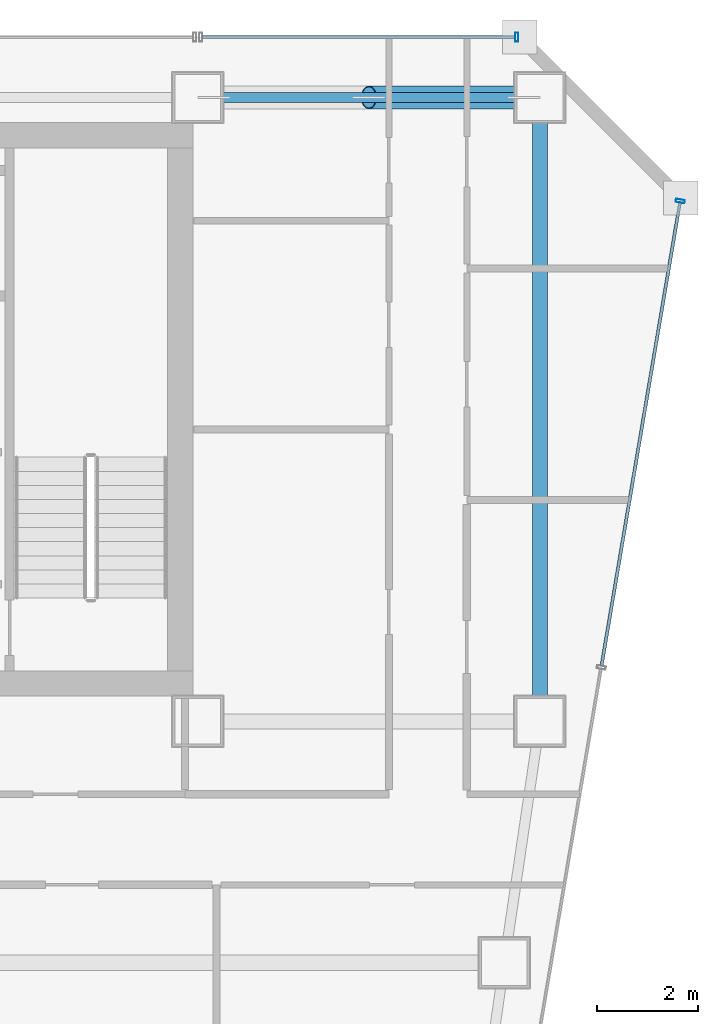
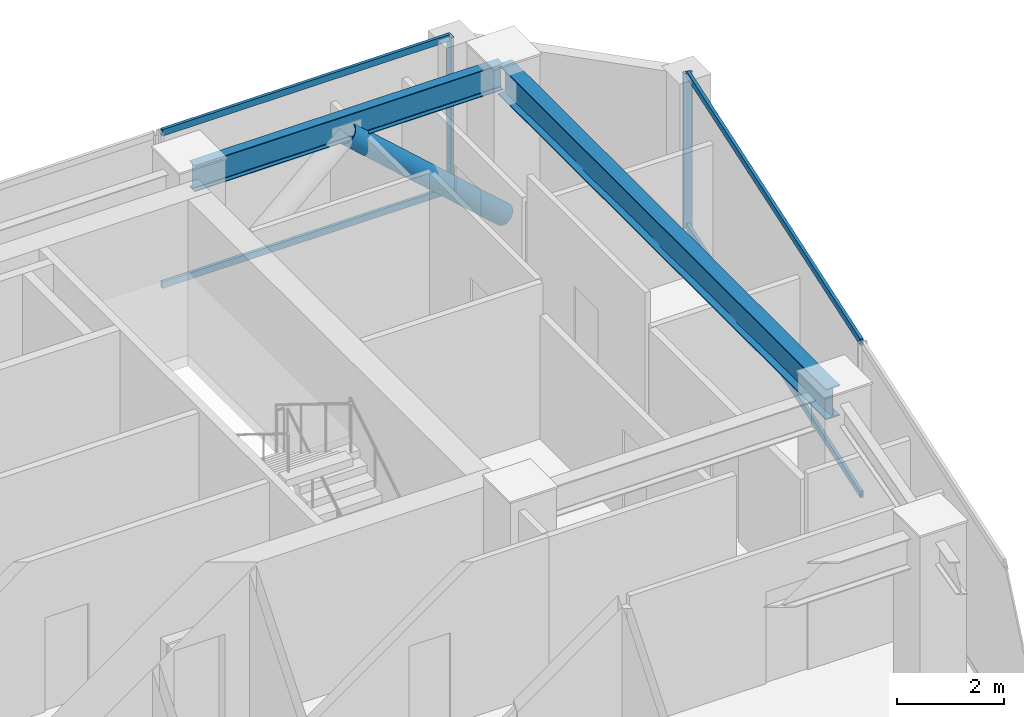
# One storey, part 26 of 35: 7 members, 2 beams, 2 elements without a shape of their own.
"""IFC4 building model written with IfcOpenShell, lengths in metres."""

import ifcopenshell
import ifcopenshell.guid

model = None  # the IFC model being written
_history = None  # IfcOwnerHistory: only IFC2X3 demands one
_inside = {}  # id of a spatial element -> (the spatial element, [elements in it])
_under = {}  # id of a project, library or spatial element -> (it, [spatial elements below it])
_declared = {}  # id of a project -> (the project, [libraries it declares])
_typed = {}  # id of a type object -> (the type object, [elements of that type])
_made_of = {}  # id of a material, layer set ... -> (it, [elements and type objects made of it])


def new_model(schema):
    """Start an empty IFC model of exactly this schema.

    Asked for "IFC4X3", IfcOpenShell would pick the latest addendum, in which some entities
    have other attributes; the version numbers below select the first issue.
    IFC2X3 requires an IfcOwnerHistory on every rooted entity: one is made here for all.
    """
    global model, _history
    if schema == "IFC4X3":
        model = ifcopenshell.file(schema_version=(4, 3, 0, 0))
    else:
        model = ifcopenshell.file(schema=schema)
    _inside.clear()
    _under.clear()
    _declared.clear()
    _typed.clear()
    _made_of.clear()
    _history = None
    if model.schema == "IFC2X3":
        org = make("IfcOrganization", Name="unknown")
        user = make(
            "IfcPersonAndOrganization",
            ThePerson=make("IfcPerson", FamilyName="unknown"),
            TheOrganization=org,
        )
        app = make(
            "IfcApplication",
            ApplicationDeveloper=org,
            Version="unknown",
            ApplicationFullName="unknown",
            ApplicationIdentifier="unknown",
        )
        _history = make(
            "IfcOwnerHistory",
            OwningUser=user,
            OwningApplication=app,
            ChangeAction="ADDED",
            CreationDate=0,
        )
    return model


def make(cls, **values):
    """One entity of the class cls with the attributes given. An attribute that is None is left unset."""
    return model.create_entity(
        cls, **{name: value for name, value in values.items() if value is not None}
    )


def rooted(cls, **values):
    """An entity with a GlobalId (a new one), such as an element, a storey or a relation."""
    return make(cls, GlobalId=ifcopenshell.guid.new(), OwnerHistory=_history, **values)


def si_unit(unit_type, name, prefix=None):
    """IfcSIUnit, for example si_unit("LENGTHUNIT", "METRE", prefix="MILLI")."""
    return make("IfcSIUnit", UnitType=unit_type, Prefix=prefix, Name=name)


def assignment(units):
    """IfcUnitAssignment: the units of a project."""
    return None if units is None else make("IfcUnitAssignment", Units=units)


def point(xyz):
    """IfcCartesianPoint."""
    return None if xyz is None else make("IfcCartesianPoint", Coordinates=xyz)


def direction(xyz):
    """IfcDirection."""
    return None if xyz is None else make("IfcDirection", DirectionRatios=xyz)


def frame(location, z_axis=None, x_axis=None):
    """IfcAxis2Placement3D, a coordinate frame: its origin and axes. An axis left out is left unset."""
    return make(
        "IfcAxis2Placement3D",
        Location=point(location),
        Axis=direction(z_axis),
        RefDirection=direction(x_axis),
    )


def frame_2d(location, x_axis=None):
    """IfcAxis2Placement2D, a coordinate frame in the plane: its origin and x axis."""
    return make(
        "IfcAxis2Placement2D", Location=point(location), RefDirection=direction(x_axis)
    )


def origin():
    """The frame at (0, 0, 0) with its axes left unset."""
    return frame((0.0, 0.0, 0.0))


def origin_2d():
    """The frame at (0, 0) in the plane with its x axis left unset."""
    return frame_2d((0.0, 0.0))


def place(relative_to, where):
    """IfcLocalPlacement: puts the frame where relative to a parent placement (None: the world)."""
    return make(
        "IfcLocalPlacement", PlacementRelTo=relative_to, RelativePlacement=where
    )


def context(
    kind, dimensions, precision=None, world=None, true_north=None, identifier=None
):
    """IfcGeometricRepresentationContext, for example the 3D "Model" context."""
    return make(
        "IfcGeometricRepresentationContext",
        ContextIdentifier=identifier,
        ContextType=kind,
        CoordinateSpaceDimension=dimensions,
        Precision=precision,
        WorldCoordinateSystem=world,
        TrueNorth=true_north,
    )


def subcontext(parent, identifier, kind, view, scale=None):
    """IfcGeometricRepresentationSubContext, for example "Body" below "Model"."""
    return make(
        "IfcGeometricRepresentationSubContext",
        ContextIdentifier=identifier,
        ContextType=kind,
        ParentContext=parent,
        TargetScale=scale,
        TargetView=view,
    )


def project(units=None, contexts=None):
    """IfcProject with its units and contexts."""
    return rooted(
        "IfcProject",
        Name="project",
        RepresentationContexts=contexts,
        UnitsInContext=assignment(units),
    )


def spatial(cls, under=None, at=None, **own):
    """A site, building, storey or space (cls), placed at a placement, below another one or the project."""
    s = rooted(cls, ObjectPlacement=at, **own)
    if under is not None:
        _under.setdefault(under.id(), (under, []))[1].append(s)
    return s


def profile(cls, at=None, kind="AREA", **sizes):
    """A parametric profile (cls). Its sizes go by their IFC names, for example OverallWidth=200.0."""
    return make(cls, ProfileType=kind, Position=at, **sizes)


def hollow_rectangle(**sizes):
    """IfcRectangleHollowProfileDef."""
    return profile("IfcRectangleHollowProfileDef", **sizes)


def hollow_circle(**sizes):
    """IfcCircleHollowProfileDef."""
    return profile("IfcCircleHollowProfileDef", **sizes)


def i_section(**sizes):
    """IfcIShapeProfileDef."""
    return profile("IfcIShapeProfileDef", **sizes)


def extrude(swept, where, along, depth):
    """IfcExtrudedAreaSolid: the profile swept, set in the frame where, extruded along a direction by depth."""
    return make(
        "IfcExtrudedAreaSolid",
        SweptArea=swept,
        Position=where,
        ExtrudedDirection=direction(along),
        Depth=depth,
    )


def shape(context_of_items, identifier, shape_type, items):
    """IfcShapeRepresentation: the items that make up one representation, for example the "Body"."""
    return make(
        "IfcShapeRepresentation",
        ContextOfItems=context_of_items,
        RepresentationIdentifier=identifier,
        RepresentationType=shape_type,
        Items=items,
    )


def material(Name=None, Category=None):
    """IfcMaterial."""
    return make("IfcMaterial", Name=Name, Category=Category)


def material_profile(
    of_material, cross_section, Name=None, Category=None, Priority=None
):
    """IfcMaterialProfile: a cross section and its material."""
    return make(
        "IfcMaterialProfile",
        Name=Name,
        Material=of_material,
        Profile=cross_section,
        Priority=Priority,
        Category=Category,
    )


def profile_set(profiles, Name=None, composite=None):
    """IfcMaterialProfileSet."""
    return make(
        "IfcMaterialProfileSet",
        Name=Name,
        MaterialProfiles=profiles,
        CompositeProfile=composite,
    )


def made_of(thing, what):
    """Note that an element or type object is made of a material, layer set ...; save() writes the relation."""
    if what is not None:
        _made_of.setdefault(what.id(), (what, []))[1].append(thing)
    return thing


def type_object(cls, material=None, **own):
    """A type object (cls), such as IfcWallType, which elements share."""
    return made_of(rooted(cls, **own), material)


def element(
    cls,
    number,
    at=None,
    inside=None,
    cuts=None,
    type_object=None,
    material=None,
    context=None,
    identifier="Body",
    shape_type=None,
    held_by="IfcProductDefinitionShape",
    body=None,
    shapes=None,
    **own,
):
    """One element of the class cls, such as IfcWall. Its Tag is "e" and its number.

    at: its placement. inside: the storey or other place that contains it. cuts: it is an
    opening in that element (IfcRelVoidsElement). A single representation is given by context,
    identifier, shape_type and body (its items); several are given by shapes. held_by: the class
    of the entity that holds the representations. save() writes the other relations.
    """
    e = rooted(cls, Tag="e%d" % number, ObjectPlacement=at, **own)
    if body is not None:
        shapes = [shape(context, identifier, shape_type, body)]
    if shapes is not None:
        e.Representation = make(held_by, Representations=shapes)
    if inside is not None:
        _inside.setdefault(inside.id(), (inside, []))[1].append(e)
    if cuts is not None:
        rooted(
            "IfcRelVoidsElement", RelatingBuildingElement=cuts, RelatedOpeningElement=e
        )
    if type_object is not None:
        _typed.setdefault(type_object.id(), (type_object, []))[1].append(e)
    return made_of(e, material)


def aggregate(whole, parts):
    """IfcRelAggregates: a whole, such as a stair, and the parts it consists of."""
    return rooted("IfcRelAggregates", RelatingObject=whole, RelatedObjects=parts)


def save(model, path):
    """Write the relations noted so far, then the file.

    IfcRelAggregates (storeys below a building ...), IfcRelContainedInSpatialStructure (elements
    in a storey), IfcRelDefinesByType, IfcRelAssociatesMaterial and IfcRelDeclares: one each for
    every whole, place, type object, material and project.
    """
    for whole, parts in _under.values():
        aggregate(whole, parts)
    for where, things in _inside.values():
        rooted(
            "IfcRelContainedInSpatialStructure",
            RelatedElements=things,
            RelatingStructure=where,
        )
    for kind, things in _typed.values():
        rooted("IfcRelDefinesByType", RelatedObjects=things, RelatingType=kind)
    for what, things in _made_of.values():
        rooted("IfcRelAssociatesMaterial", RelatedObjects=things, RelatingMaterial=what)
    for by, libraries in _declared.values():
        rooted("IfcRelDeclares", RelatingContext=by, RelatedDefinitions=libraries)
    model.write(path)


model = new_model("IFC4")

# Units and contexts
model_context = context("Model", 3, precision=1e-05, world=origin(), true_north=direction((0.0, 1.0)))
body_context = subcontext(model_context, "Body", "Model", "MODEL_VIEW")
ifc_project = project(units=[si_unit("LENGTHUNIT", "METRE"), si_unit("AREAUNIT", "SQUARE_METRE"), si_unit("VOLUMEUNIT", "CUBIC_METRE"), si_unit("PLANEANGLEUNIT", "RADIAN"), si_unit("MASSUNIT", "GRAM", prefix="KILO")], contexts=[model_context])

# Site, building, storey
site_placement = place(None, origin())
site = spatial("IfcSite", under=ifc_project, at=site_placement, CompositionType="ELEMENT")
building_placement = place(site_placement, origin())
building = spatial("IfcBuilding", under=site, at=building_placement, Name="Saevonmaru Cultural Tower", CompositionType="ELEMENT")
storey_placement = place(building_placement, frame((0.0, 0.0, 179.0)))
storey = spatial("IfcBuildingStorey", under=building, at=storey_placement, Name="L40", CompositionType="ELEMENT", Elevation=179.0)

# Beams
ifc_material_1 = material(Name="Steel SM355", Category="steel")
ifc_material_profile_1 = material_profile(ifc_material_1, i_section(OverallWidth=0.300048828125, OverallDepth=0.699951171875, WebThickness=0.012939453125, FlangeThickness=0.02392578125, FilletRadius=0.02587890625, at=origin_2d()), Name="H-700x300x13x24")
ifc_profile_set_1 = profile_set([ifc_material_profile_1], Name="Steel SM355")
beam_type_1 = type_object("IfcBeamType", Name="BM-G-H700", PredefinedType="BEAM", material=ifc_profile_set_1)
beam_1_placement = place(storey_placement, frame((53.199951171875, 54.739990234375, 3.199951171875), z_axis=(0.0, -1.0, 0.0), x_axis=(1.0, 0.0, 0.0)))
element("IfcBeam", 1, at=beam_1_placement, inside=storey, type_object=beam_type_1, Name="L40 Spine Transverse Girder E", PredefinedType="BEAM", context=body_context, shape_type="SweptSolid", body=[
    extrude(i_section(OverallWidth=0.300048828125, OverallDepth=0.699951171875, WebThickness=0.012939453125, FlangeThickness=0.02392578125, FilletRadius=0.02587890625, at=origin_2d()), origin(), (0.0, 0.0, 1.0), 12.280029296875),
])
ifc_material_profile_2 = material_profile(ifc_material_1, i_section(OverallWidth=0.199951171875, OverallDepth=0.60009765625, WebThickness=0.010986328125, FlangeThickness=0.01708984375, FilletRadius=0.02197265625, at=origin_2d()), Name="H-600x200x11x17")
ifc_profile_set_2 = profile_set([ifc_material_profile_2], Name="Steel SM355")
beam_type_2 = type_object("IfcBeamType", Name="BM-SP-H600", PredefinedType="SPANDREL", material=ifc_profile_set_2)
beam_2_placement = place(storey_placement, frame((46.4599609375, 54.800048828125, 3.25), z_axis=(1.0, 0.0, 0.0), x_axis=(0.0, 1.0, 0.0)))
element("IfcBeam", 2, at=beam_2_placement, inside=storey, type_object=beam_type_2, Name="L40 North Spine Girder 5", PredefinedType="SPANDREL", context=body_context, shape_type="SweptSolid", body=[
    extrude(i_section(OverallWidth=0.199951171875, OverallDepth=0.60009765625, WebThickness=0.010986328125, FlangeThickness=0.01708984375, FilletRadius=0.02197265625, at=origin_2d()), origin(), (0.0, 0.0, 1.0), 6.679931640625),
])

# Member
ifc_material_2 = material(Name="Steel SM420", Category="steel")
ifc_material_profile_3 = material_profile(ifc_material_2, hollow_circle(Radius=0.228515625, WallThickness=0.02001953125, at=origin_2d()), Name="CHS-457.2x20")
ifc_profile_set_3 = profile_set([ifc_material_profile_3], Name="Steel SM420")
member_type_1 = type_object("IfcMemberType", Name="MB-PBR-CHS457", PredefinedType="BRACE", material=ifc_profile_set_3)
member_1_placement = place(storey_placement, frame((53.199951171875, 54.800048828125, 0.02001953125), z_axis=(-0.744366945704, 0.0, 0.667770806597), x_axis=(0.0, -1.0, 0.0)))
element("IfcMember", 3, at=member_1_placement, inside=storey, type_object=member_type_1, Name="L40 Perimeter Braced-Tube Diagonal EN2", PredefinedType="BRACE", context=body_context, shape_type="SweptSolid", body=[
    extrude(hollow_circle(Radius=0.228515625, WallThickness=0.02001953125, at=origin_2d()), origin(), (0.0, 0.0, 1.0), 4.567626953125),
])

# Curtain wall, member
ifc_material_3 = material(Name="Satin Bronze Anodised Aluminium", Category="aluminium")
curtain_wall_type = type_object("IfcCurtainWallType", Name="CW-TYP-B", PredefinedType="NOTDEFINED", material=ifc_material_3)
curtain_wall_1_placement = place(storey_placement, origin())
curtain_wall_1 = element("IfcCurtainWall", 4, at=curtain_wall_1_placement, inside=storey, type_object=curtain_wall_type, Name="L40 Unitised Curtain Wall E8", PredefinedType="NOTDEFINED")
ifc_material_profile_4 = material_profile(ifc_material_3, hollow_rectangle(XDim=0.06494140625, YDim=0.179931640625, WallThickness=0.00390625, at=origin_2d()), Name="ALU-MULL-180x65x4")
ifc_profile_set_4 = profile_set([ifc_material_profile_4], Name="Satin Bronze Anodised Aluminium")
member_type_2 = type_object("IfcMemberType", Name="ML-CW-180x65", PredefinedType="MULLION", material=ifc_profile_set_4)
member_2_placement = place(storey_placement, frame((55.989990234375, 52.74072265625, 0.0), z_axis=(0.0, 0.0, 1.0), x_axis=(0.16692169721, 0.985970155228, 0.0)))
member_2 = element("IfcMember", 5, at=member_2_placement, type_object=member_type_2, Name="CW-TW-L40-E8 mullion 5", PredefinedType="MULLION", context=body_context, shape_type="SweptSolid", body=[
    extrude(hollow_rectangle(XDim=0.06494140625, YDim=0.179931640625, WallThickness=0.00390625, at=origin_2d()), origin(), (0.0, 0.0, 1.0), 3.550048828125),
])

curtain_wall_2_placement = place(storey_placement, origin())
curtain_wall_2 = element("IfcCurtainWall", 6, at=curtain_wall_2_placement, inside=storey, type_object=curtain_wall_type, Name="L40 East Braced Bay Spandrel Curtain Wall E10A", PredefinedType="NOTDEFINED")
member_3_placement = place(storey_placement, frame((52.739990234375, 56.0, 0.0), z_axis=(0.0, 0.0, 1.0), x_axis=(-1.0, 0.0, 0.0)))
member_3 = element("IfcMember", 7, at=member_3_placement, type_object=member_type_2, Name="CW-TW-L40-E10A mullion 1", PredefinedType="MULLION", context=body_context, shape_type="SweptSolid", body=[
    extrude(hollow_rectangle(XDim=0.06494140625, YDim=0.179931640625, WallThickness=0.00390625, at=origin_2d()), origin(), (0.0, 0.0, 1.0), 3.550048828125),
])

# Member
ifc_material_profile_5 = material_profile(ifc_material_3, hollow_rectangle(XDim=0.06494140625, YDim=0.14990234375, WallThickness=0.00390625, at=origin_2d()), Name="ALU-TRAN-150x65x4")
ifc_profile_set_5 = profile_set([ifc_material_profile_5], Name="Satin Bronze Anodised Aluminium")
member_type_3 = type_object("IfcMemberType", Name="TR-CW-150x65", PredefinedType="USERDEFINED", material=ifc_profile_set_5)
member_4_placement = place(storey_placement, frame((54.426025390625, 43.50244140625, 0.032470703125), z_axis=(0.166921263871, 0.985970228591, 0.0), x_axis=(-0.985970228591, 0.166921263871, 0.0)))
member_4 = element("IfcMember", 8, at=member_4_placement, type_object=member_type_3, Name="CW-TW-L40-E8 transom 4.1", ObjectType="TRANSOM", PredefinedType="USERDEFINED", context=body_context, shape_type="SweptSolid", body=[
    extrude(hollow_rectangle(XDim=0.06494140625, YDim=0.14990234375, WallThickness=0.00390625, at=origin_2d()), origin(), (0.0, 0.0, 1.0), 9.33740234375),
])

member_5_placement = place(storey_placement, frame((54.426025390625, 43.50244140625, 3.517578125), z_axis=(0.166921263871, 0.985970228591, 0.0), x_axis=(-0.985970228591, 0.166921263871, 0.0)))
member_5 = element("IfcMember", 9, at=member_5_placement, type_object=member_type_3, Name="CW-TW-L40-E8 transom 4.2", ObjectType="TRANSOM", PredefinedType="USERDEFINED", context=body_context, shape_type="SweptSolid", body=[
    extrude(hollow_rectangle(XDim=0.06494140625, YDim=0.14990234375, WallThickness=0.00390625, at=origin_2d()), origin(), (0.0, 0.0, 1.0), 9.33740234375),
])

aggregate(curtain_wall_1, [member_2, member_4, member_5])

member_6_placement = place(storey_placement, frame((52.70751953125, 56.0, 0.032470703125), z_axis=(-1.0, 0.0, 0.0), x_axis=(0.0, -1.0, 0.0)))
member_6 = element("IfcMember", 10, at=member_6_placement, type_object=member_type_3, Name="CW-TW-L40-E10A transom 1.1", ObjectType="TRANSOM", PredefinedType="USERDEFINED", context=body_context, shape_type="SweptSolid", body=[
    extrude(hollow_rectangle(XDim=0.06494140625, YDim=0.14990234375, WallThickness=0.00390625, at=origin_2d()), origin(), (0.0, 0.0, 1.0), 6.215087890625),
])

member_7_placement = place(storey_placement, frame((52.70751953125, 56.0, 3.517578125), z_axis=(-1.0, 0.0, 0.0), x_axis=(0.0, -1.0, 0.0)))
member_7 = element("IfcMember", 11, at=member_7_placement, type_object=member_type_3, Name="CW-TW-L40-E10A transom 1.2", ObjectType="TRANSOM", PredefinedType="USERDEFINED", context=body_context, shape_type="SweptSolid", body=[
    extrude(hollow_rectangle(XDim=0.06494140625, YDim=0.14990234375, WallThickness=0.00390625, at=origin_2d()), origin(), (0.0, 0.0, 1.0), 6.215087890625),
])

aggregate(curtain_wall_2, [member_3, member_6, member_7])

save(model, "model.ifc")
